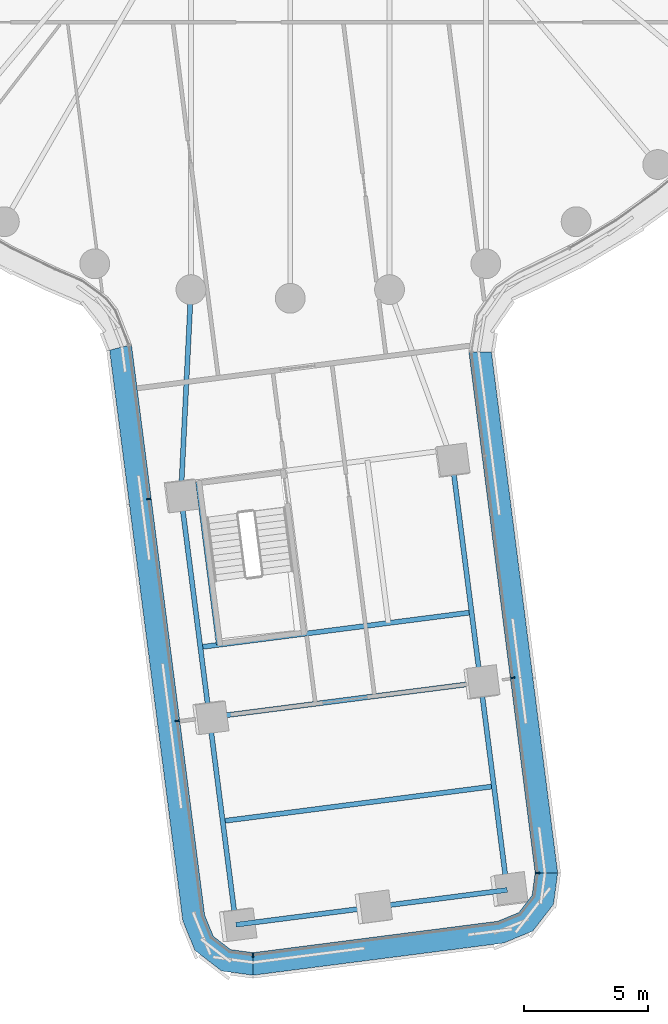
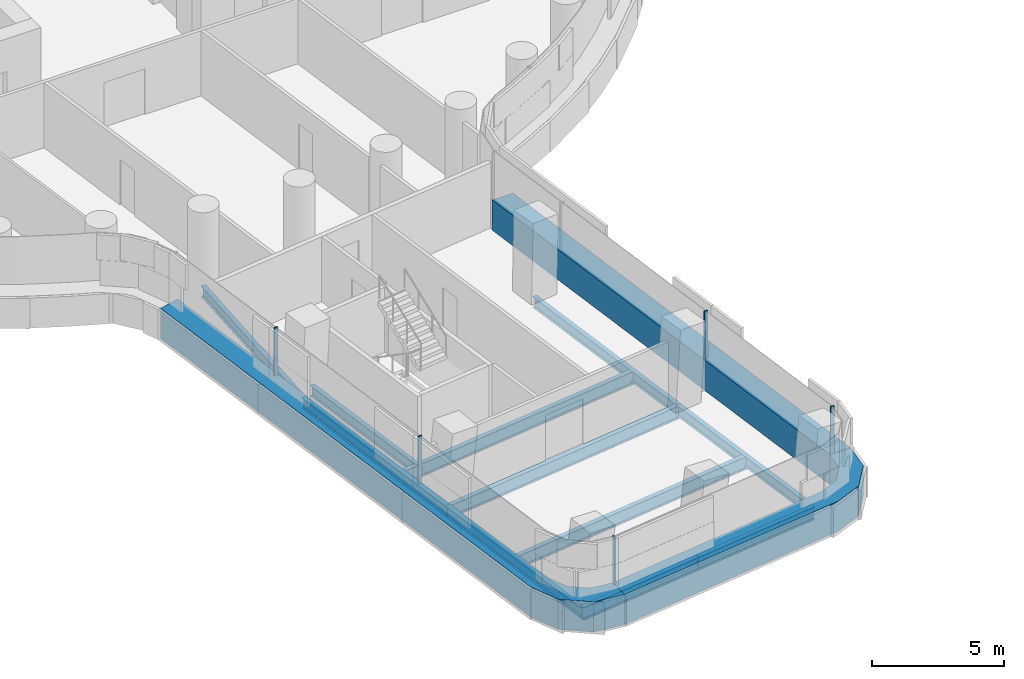
# One storey, part 2 of 31: 11 beams, 8 members, 3 elements without a shape of their own.
"""IFC4 building model written with IfcOpenShell, lengths in metres."""

from ifc_helpers import new_model, si_unit, direction, frame, origin, origin_2d, place, context, subcontext, project, spatial, polyline, rectangle, i_section, outline, extrude, material, layer, layer_set, material_profile, profile_set, type_object, element, aggregate, save


model = new_model("IFC4")

# Units and contexts
model_context = context("Model", 3, precision=1e-05, world=origin(), true_north=direction((0.0, 1.0)))
body_context = subcontext(model_context, "Body", "Model", "MODEL_VIEW")
ifc_project = project(units=[si_unit("LENGTHUNIT", "METRE"), si_unit("AREAUNIT", "SQUARE_METRE"), si_unit("VOLUMEUNIT", "CUBIC_METRE"), si_unit("PLANEANGLEUNIT", "RADIAN"), si_unit("MASSUNIT", "GRAM", prefix="KILO")], contexts=[model_context])

# Site, building, storey
site_placement = place(None, origin())
site = spatial("IfcSite", under=ifc_project, at=site_placement, CompositionType="ELEMENT")
building_placement = place(site_placement, origin())
building = spatial("IfcBuilding", under=site, at=building_placement, Name="Tamarind Cross Interchange Tower", CompositionType="ELEMENT")
storey_placement = place(building_placement, frame((0.0, 0.0, 60.25)))
storey = spatial("IfcBuildingStorey", under=building, at=storey_placement, Name="L13", CompositionType="ELEMENT", Elevation=60.25)

# Beams
ifc_material_1 = material(Name="Steel Q355B", Category="steel")
ifc_material_profile_1 = material_profile(ifc_material_1, i_section(OverallWidth=0.198974609375, OverallDepth=0.49609375, WebThickness=0.009033203125, FlangeThickness=0.013916015625, FilletRadius=0.012939453125, at=origin_2d()), Name="HN 496x199x9x14")
ifc_profile_set_1 = profile_set([ifc_material_profile_1], Name="Steel Q355B")
beam_type_1 = type_object("IfcBeamType", Name="Composite beam HN 496x199x9x14 Q355B", PredefinedType="BEAM", material=ifc_profile_set_1)
beam_1_placement = place(storey_placement, frame((-2.182373046875, -48.199951171875, -0.387939453125), z_axis=(-0.127310795413, 0.991862874278, 0.0), x_axis=(-0.991862874278, -0.127310795413, 0.0)))
element("IfcBeam", 1, at=beam_1_placement, inside=storey, type_object=beam_type_1, Name="Beam S-edgeem5", PredefinedType="BEAM", context=body_context, shape_type="SweptSolid", body=[
    extrude(i_section(OverallWidth=0.198974609375, OverallDepth=0.49609375, WebThickness=0.009033203125, FlangeThickness=0.013916015625, FilletRadius=0.012939453125, at=origin_2d()), origin(), (0.0, 0.0, 1.0), 8.408935546875),
])
beam_2_placement = place(storey_placement, frame((-3.2529296875, -39.859375, -0.387939453125), z_axis=(-0.127305967001, 0.991863494018, 0.0), x_axis=(-0.991863494018, -0.127305967001, 0.0)))
element("IfcBeam", 2, at=beam_2_placement, inside=storey, type_object=beam_type_1, Name="Beam S-edgeem6", PredefinedType="BEAM", context=body_context, shape_type="SweptSolid", body=[
    extrude(i_section(OverallWidth=0.198974609375, OverallDepth=0.49609375, WebThickness=0.009033203125, FlangeThickness=0.013916015625, FilletRadius=0.012939453125, at=origin_2d()), origin(), (0.0, 0.0, 1.0), 9.0),
])
beam_3_placement = place(storey_placement, frame((8.72802734375, -46.7998046875, -0.387939453125), z_axis=(-0.127307129349, 0.99186334483, 0.0), x_axis=(-0.99186334483, -0.127307129349, 0.0)))
element("IfcBeam", 3, at=beam_3_placement, inside=storey, type_object=beam_type_1, Name="Beam S-edgeep2", PredefinedType="BEAM", context=body_context, shape_type="SweptSolid", body=[
    extrude(i_section(OverallWidth=0.198974609375, OverallDepth=0.49609375, WebThickness=0.009033203125, FlangeThickness=0.013916015625, FilletRadius=0.012939453125, at=origin_2d()), origin(), (0.0, 0.0, 1.0), 8.4091796875),
])
beam_4_placement = place(storey_placement, frame((7.657470703125, -38.458984375, -0.387939453125), z_axis=(-0.127279279724, 0.991866918973, 0.0), x_axis=(-0.991866918973, -0.127279279724, 0.0)))
element("IfcBeam", 4, at=beam_4_placement, inside=storey, type_object=beam_type_1, Name="Beam S-edgeep3", PredefinedType="BEAM", context=body_context, shape_type="SweptSolid", body=[
    extrude(i_section(OverallWidth=0.198974609375, OverallDepth=0.49609375, WebThickness=0.009033203125, FlangeThickness=0.013916015625, FilletRadius=0.012939453125, at=origin_2d()), origin(), (0.0, 0.0, 1.0), 9.0),
])
beam_5_placement = place(storey_placement, frame((-4.398681640625, -30.9326171875, -0.387939453125), z_axis=(0.048817121783, 0.998807733561, 0.0), x_axis=(-0.998807733561, 0.048817121783, 0.0)))
element("IfcBeam", 5, at=beam_5_placement, inside=storey, type_object=beam_type_1, Name="Beam S-linkem", PredefinedType="BEAM", context=body_context, shape_type="SweptSolid", body=[
    extrude(i_section(OverallWidth=0.198974609375, OverallDepth=0.49609375, WebThickness=0.009033203125, FlangeThickness=0.013916015625, FilletRadius=0.012939453125, at=origin_2d()), origin(), (0.0, 0.0, 1.0), 8.291748046875),
])
beam_6_placement = place(storey_placement, frame((-3.712158203125, -30.390869140625, -0.387939453125), z_axis=(0.127325752613, -0.991860954329, 0.0), x_axis=(0.991860954329, 0.127325752613, 0.0)))
element("IfcBeam", 6, at=beam_6_placement, inside=storey, type_object=beam_type_1, Name="Beam S-tr0", PredefinedType="BEAM", context=body_context, shape_type="SweptSolid", body=[
    extrude(i_section(OverallWidth=0.198974609375, OverallDepth=0.49609375, WebThickness=0.009033203125, FlangeThickness=0.013916015625, FilletRadius=0.012939453125, at=origin_2d()), origin(), (0.0, 0.0, 1.0), 6.599853515625),
])
ifc_material_profile_2 = material_profile(ifc_material_1, i_section(OverallWidth=0.199951171875, OverallDepth=0.60009765625, WebThickness=0.010986328125, FlangeThickness=0.01708984375, FilletRadius=0.012939453125, at=origin_2d()), Name="HN 600x200x11x17")
ifc_profile_set_2 = profile_set([ifc_material_profile_2], Name="Steel Q355B")
beam_type_2 = type_object("IfcBeamType", Name="Composite beam HN 600x200x11x17 Q355B", PredefinedType="BEAM", material=ifc_profile_set_2)
beam_7_placement = place(storey_placement, frame((-2.182373046875, -48.199951171875, -0.43994140625), z_axis=(0.991868307519, 0.127268458542, 0.0), x_axis=(-0.127268458542, 0.991868307519, 0.0)))
element("IfcBeam", 7, at=beam_7_placement, inside=storey, type_object=beam_type_2, Name="Beam S-tip0", PredefinedType="BEAM", context=body_context, shape_type="SweptSolid", body=[
    extrude(i_section(OverallWidth=0.199951171875, OverallDepth=0.60009765625, WebThickness=0.010986328125, FlangeThickness=0.01708984375, FilletRadius=0.012939453125, at=origin_2d()), origin(), (0.0, 0.0, 1.0), 5.499755859375),
])
beam_8_placement = place(storey_placement, frame((3.272705078125, -47.5, -0.43994140625), z_axis=(0.991863422431, 0.12730652475, 0.0), x_axis=(-0.12730652475, 0.991863422431, 0.0)))
element("IfcBeam", 8, at=beam_8_placement, inside=storey, type_object=beam_type_2, Name="Beam S-tip1", PredefinedType="BEAM", context=body_context, shape_type="SweptSolid", body=[
    extrude(i_section(OverallWidth=0.199951171875, OverallDepth=0.60009765625, WebThickness=0.010986328125, FlangeThickness=0.01708984375, FilletRadius=0.012939453125, at=origin_2d()), origin(), (0.0, 0.0, 1.0), 5.5),
])
beam_9_placement = place(storey_placement, frame((-3.61572265625, -37.032470703125, -0.43994140625), z_axis=(0.991865865097, 0.127287492142, 0.0), x_axis=(-0.127287492142, 0.991865865097, 0.0)))
element("IfcBeam", 9, at=beam_9_placement, inside=storey, type_object=beam_type_2, Name="Beam S-x364", PredefinedType="BEAM", context=body_context, shape_type="SweptSolid", body=[
    extrude(i_section(OverallWidth=0.199951171875, OverallDepth=0.60009765625, WebThickness=0.010986328125, FlangeThickness=0.01708984375, FilletRadius=0.012939453125, at=origin_2d()), origin(), (0.0, 0.0, 1.0), 10.999755859375),
])
beam_10_placement = place(storey_placement, frame((-3.2529296875, -39.859375, -0.43994140625), z_axis=(0.991863062717, 0.127309327301, 0.0), x_axis=(-0.127309327301, 0.991863062717, 0.0)))
element("IfcBeam", 10, at=beam_10_placement, inside=storey, type_object=beam_type_2, Name="Beam S-x393", PredefinedType="BEAM", context=body_context, shape_type="SweptSolid", body=[
    extrude(i_section(OverallWidth=0.199951171875, OverallDepth=0.60009765625, WebThickness=0.010986328125, FlangeThickness=0.01708984375, FilletRadius=0.012939453125, at=origin_2d()), origin(), (0.0, 0.0, 1.0), 11.0),
])
beam_11_placement = place(storey_placement, frame((-2.7177734375, -44.02978515625, -0.43994140625), z_axis=(0.991863422431, 0.12730652475, 0.0), x_axis=(-0.12730652475, 0.991863422431, 0.0)))
element("IfcBeam", 11, at=beam_11_placement, inside=storey, type_object=beam_type_2, Name="Beam S-x435", PredefinedType="BEAM", context=body_context, shape_type="SweptSolid", body=[
    extrude(i_section(OverallWidth=0.199951171875, OverallDepth=0.60009765625, WebThickness=0.010986328125, FlangeThickness=0.01708984375, FilletRadius=0.012939453125, at=origin_2d()), origin(), (0.0, 0.0, 1.0), 11.000244140625),
])

# Curtain wall, member
ifc_material_2 = material(Name="Aluminium 6063-T6", Category="aluminium")
ifc_layer = layer(ifc_material_2, 0.159912109375)
ifc_layer_set = layer_set([ifc_layer], Name="Aluminium 6063-T6")
curtain_wall_type = type_object("IfcCurtainWallType", Name="Office curtain wall, 9.0 m bays", PredefinedType="NOTDEFINED", material=ifc_layer_set)
curtain_wall_1_placement = place(storey_placement, origin())
curtain_wall_1 = element("IfcCurtainWall", 12, at=curtain_wall_1_placement, inside=storey, type_object=curtain_wall_type, Name="CWS-L13-03", PredefinedType="NOTDEFINED")
ifc_material_3 = material(Name="Aluminium and insulated spandrel panel", Category="aluminium")
member_type_1 = type_object("IfcMemberType", Name="Floor-edge blade transom", PredefinedType="USERDEFINED", material=ifc_material_3)
member_1_placement = place(storey_placement, origin())
member_1 = element("IfcMember", 13, at=member_1_placement, type_object=member_type_1, Name="CWT-L13-03", ObjectType="TRANSOM", PredefinedType="USERDEFINED", context=body_context, shape_type="SweptSolid", body=[
    extrude(outline(polyline([(-6.387451171875, -24.86279296875), (-3.44140625, -47.817626953125), (-3.09375, -48.66455078125), (-2.40185546875, -49.19921875), (-1.49462890625, -49.321533203125), (-1.49755859375, -50.229248046875), (-2.76123046875, -50.058837890625), (-3.8349609375, -49.229248046875), (-4.319091796875, -48.0498046875), (-7.26611328125, -25.08642578125), (-6.387451171875, -24.86279296875)])), origin(), (0.0, 0.0, 1.0), 1.39990234375),
])

curtain_wall_2_placement = place(storey_placement, origin())
curtain_wall_2 = element("IfcCurtainWall", 14, at=curtain_wall_2_placement, inside=storey, type_object=curtain_wall_type, Name="CWS-L13-04", PredefinedType="NOTDEFINED")
member_2_placement = place(storey_placement, origin())
member_2 = element("IfcMember", 15, at=member_2_placement, type_object=member_type_1, Name="CWT-L13-04", ObjectType="TRANSOM", PredefinedType="USERDEFINED", context=body_context, shape_type="SweptSolid", body=[
    extrude(outline(polyline([(-1.49462890625, -49.321533203125), (8.345703125, -48.05859375), (9.192626953125, -47.711181640625), (9.72705078125, -47.01904296875), (9.849609375, -46.11181640625), (10.75732421875, -46.115234375), (10.5869140625, -47.37841796875), (9.75732421875, -48.4521484375), (8.577880859375, -48.936279296875), (-1.49755859375, -50.229248046875), (-1.49462890625, -49.321533203125)])), origin(), (0.0, 0.0, 1.0), 1.39990234375),
])

curtain_wall_3_placement = place(storey_placement, origin())
curtain_wall_3 = element("IfcCurtainWall", 16, at=curtain_wall_3_placement, inside=storey, type_object=curtain_wall_type, Name="CWS-L13-05", PredefinedType="NOTDEFINED")
member_3_placement = place(storey_placement, origin())
member_3 = element("IfcMember", 17, at=member_3_placement, type_object=member_type_1, Name="CWT-L13-05", ObjectType="TRANSOM", PredefinedType="USERDEFINED", context=body_context, shape_type="SweptSolid", body=[
    extrude(outline(polyline([(9.849609375, -46.11181640625), (7.18359375, -25.14892578125), (8.0927734375, -25.16455078125), (10.75732421875, -46.115234375), (9.849609375, -46.11181640625)])), origin(), (0.0, 0.0, 1.0), 1.39990234375),
])

# Member
ifc_material_profile_3 = material_profile(ifc_material_2, rectangle(XDim=0.06005859375, YDim=0.159912109375, at=origin_2d()), Name="Mullion CW1")
ifc_profile_set_3 = profile_set([ifc_material_profile_3], Name="Aluminium 6063-T6")
member_type_2 = type_object("IfcMemberType", Name="Mullion CW1", PredefinedType="MULLION", material=ifc_profile_set_3)
member_4_placement = place(storey_placement, frame((-5.691162109375, -31.0732421875, 1.39990234375), z_axis=(0.0, 0.0, 1.0), x_axis=(0.127300045824, -0.991864253985, 0.0)))
member_4 = element("IfcMember", 18, at=member_4_placement, type_object=member_type_2, Name="CWM-L13-03-01", PredefinedType="MULLION", context=body_context, shape_type="SweptSolid", body=[
    extrude(rectangle(XDim=0.06005859375, YDim=0.159912109375, at=origin_2d()), origin(), (0.0, 0.0, 1.0), 2.210205078125),
])

member_5_placement = place(storey_placement, frame((-4.545654296875, -39.99951171875, 1.39990234375), z_axis=(0.0, 0.0, 1.0), x_axis=(0.127300045824, -0.991864253985, 0.0)))
member_5 = element("IfcMember", 19, at=member_5_placement, type_object=member_type_2, Name="CWM-L13-03-02", PredefinedType="MULLION", context=body_context, shape_type="SweptSolid", body=[
    extrude(rectangle(XDim=0.06005859375, YDim=0.159912109375, at=origin_2d()), origin(), (0.0, 0.0, 1.0), 2.210205078125),
])

aggregate(curtain_wall_1, [member_4, member_5, member_1])

member_6_placement = place(storey_placement, frame((-1.494873046875, -49.42236328125, 1.39990234375), z_axis=(0.0, 0.0, 1.0), x_axis=(0.999994708045, -0.003253287987, 0.0)))
member_6 = element("IfcMember", 20, at=member_6_placement, type_object=member_type_2, Name="CWM-L13-04-00", PredefinedType="MULLION", context=body_context, shape_type="SweptSolid", body=[
    extrude(rectangle(XDim=0.06005859375, YDim=0.159912109375, at=origin_2d()), origin(), (0.0, 0.0, 1.0), 2.210205078125),
])

aggregate(curtain_wall_2, [member_6, member_2])

member_7_placement = place(storey_placement, frame((9.950439453125, -46.112060546875, 1.39990234375), z_axis=(0.0, 0.0, 1.0), x_axis=(0.003827457335, 0.999992675258, 0.0)))
member_7 = element("IfcMember", 21, at=member_7_placement, type_object=member_type_2, Name="CWM-L13-05-00", PredefinedType="MULLION", context=body_context, shape_type="SweptSolid", body=[
    extrude(rectangle(XDim=0.06005859375, YDim=0.159912109375, at=origin_2d()), origin(), (0.0, 0.0, 1.0), 2.210205078125),
])

member_8_placement = place(storey_placement, frame((8.95263671875, -38.265380859375, 1.39990234375), z_axis=(0.0, 0.0, 1.0), x_axis=(-0.126160958881, 0.992009784455, 0.0)))
member_8 = element("IfcMember", 22, at=member_8_placement, type_object=member_type_2, Name="CWM-L13-05-01", PredefinedType="MULLION", context=body_context, shape_type="SweptSolid", body=[
    extrude(rectangle(XDim=0.06005859375, YDim=0.159912109375, at=origin_2d()), origin(), (0.0, 0.0, 1.0), 2.210205078125),
])

aggregate(curtain_wall_3, [member_7, member_8, member_3])

save(model, "model.ifc")
